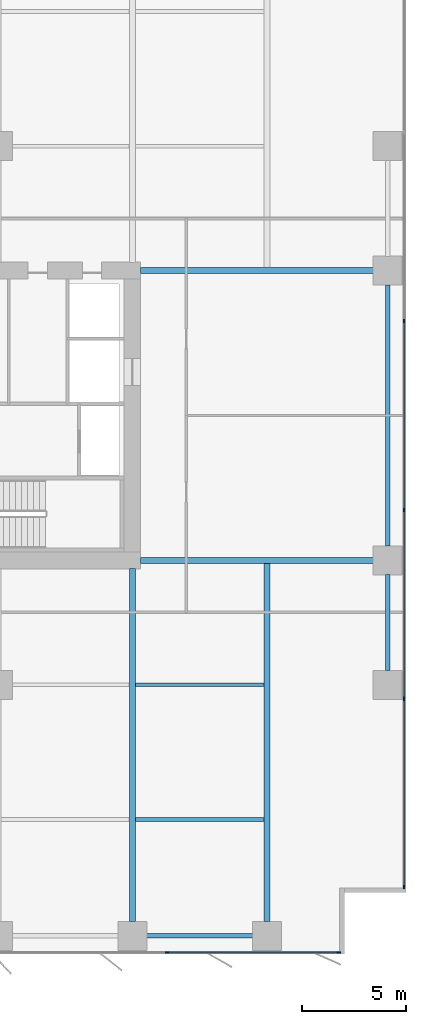
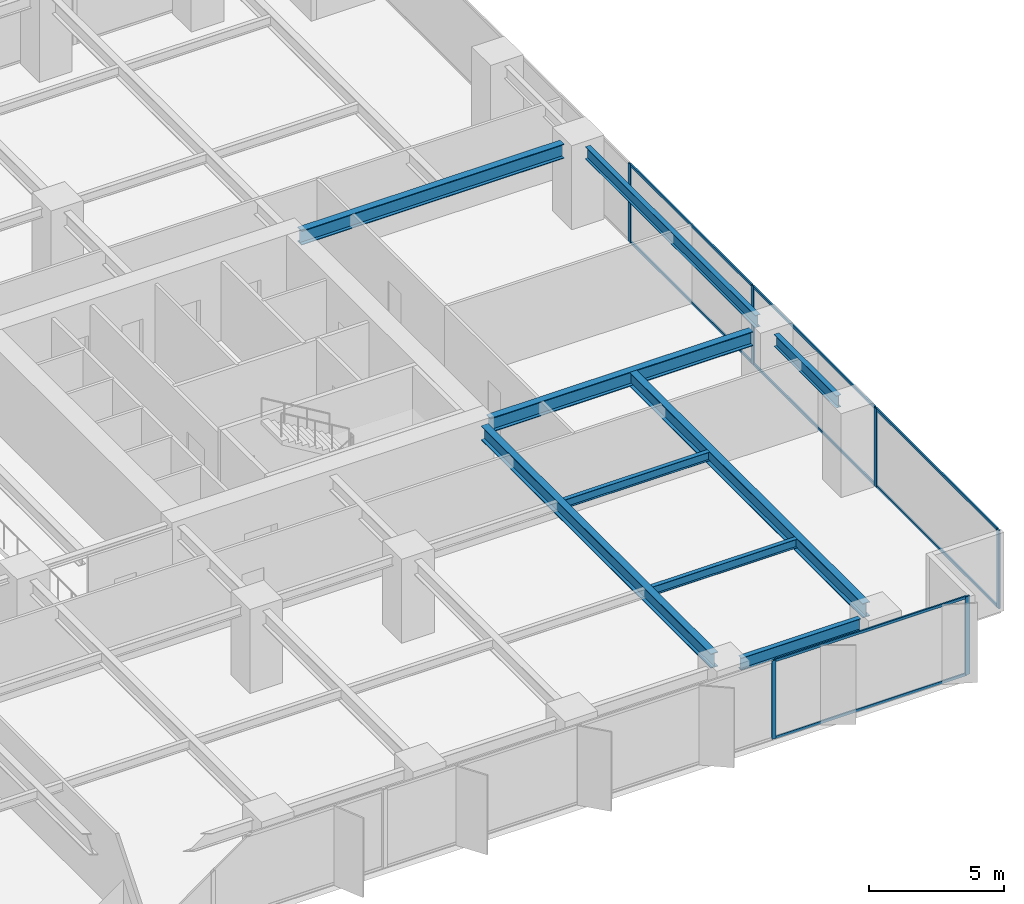
# One storey, part 10 of 20: 14 members, 9 beams, 2 elements without a shape of their own.
"""IFC4 building model written with IfcOpenShell, lengths in metres."""

import ifcopenshell
import ifcopenshell.guid

model = None  # the IFC model being written
_history = None  # IfcOwnerHistory: only IFC2X3 demands one
_inside = {}  # id of a spatial element -> (the spatial element, [elements in it])
_under = {}  # id of a project, library or spatial element -> (it, [spatial elements below it])
_declared = {}  # id of a project -> (the project, [libraries it declares])
_typed = {}  # id of a type object -> (the type object, [elements of that type])
_made_of = {}  # id of a material, layer set ... -> (it, [elements and type objects made of it])


def new_model(schema):
    """Start an empty IFC model of exactly this schema.

    Asked for "IFC4X3", IfcOpenShell would pick the latest addendum, in which some entities
    have other attributes; the version numbers below select the first issue.
    IFC2X3 requires an IfcOwnerHistory on every rooted entity: one is made here for all.
    """
    global model, _history
    if schema == "IFC4X3":
        model = ifcopenshell.file(schema_version=(4, 3, 0, 0))
    else:
        model = ifcopenshell.file(schema=schema)
    _inside.clear()
    _under.clear()
    _declared.clear()
    _typed.clear()
    _made_of.clear()
    _history = None
    if model.schema == "IFC2X3":
        org = make("IfcOrganization", Name="unknown")
        user = make(
            "IfcPersonAndOrganization",
            ThePerson=make("IfcPerson", FamilyName="unknown"),
            TheOrganization=org,
        )
        app = make(
            "IfcApplication",
            ApplicationDeveloper=org,
            Version="unknown",
            ApplicationFullName="unknown",
            ApplicationIdentifier="unknown",
        )
        _history = make(
            "IfcOwnerHistory",
            OwningUser=user,
            OwningApplication=app,
            ChangeAction="ADDED",
            CreationDate=0,
        )
    return model


def make(cls, **values):
    """One entity of the class cls with the attributes given. An attribute that is None is left unset."""
    return model.create_entity(
        cls, **{name: value for name, value in values.items() if value is not None}
    )


def rooted(cls, **values):
    """An entity with a GlobalId (a new one), such as an element, a storey or a relation."""
    return make(cls, GlobalId=ifcopenshell.guid.new(), OwnerHistory=_history, **values)


def si_unit(unit_type, name, prefix=None):
    """IfcSIUnit, for example si_unit("LENGTHUNIT", "METRE", prefix="MILLI")."""
    return make("IfcSIUnit", UnitType=unit_type, Prefix=prefix, Name=name)


def assignment(units):
    """IfcUnitAssignment: the units of a project."""
    return None if units is None else make("IfcUnitAssignment", Units=units)


def point(xyz):
    """IfcCartesianPoint."""
    return None if xyz is None else make("IfcCartesianPoint", Coordinates=xyz)


def direction(xyz):
    """IfcDirection."""
    return None if xyz is None else make("IfcDirection", DirectionRatios=xyz)


def frame(location, z_axis=None, x_axis=None):
    """IfcAxis2Placement3D, a coordinate frame: its origin and axes. An axis left out is left unset."""
    return make(
        "IfcAxis2Placement3D",
        Location=point(location),
        Axis=direction(z_axis),
        RefDirection=direction(x_axis),
    )


def frame_2d(location, x_axis=None):
    """IfcAxis2Placement2D, a coordinate frame in the plane: its origin and x axis."""
    return make(
        "IfcAxis2Placement2D", Location=point(location), RefDirection=direction(x_axis)
    )


def origin():
    """The frame at (0, 0, 0) with its axes left unset."""
    return frame((0.0, 0.0, 0.0))


def origin_2d():
    """The frame at (0, 0) in the plane with its x axis left unset."""
    return frame_2d((0.0, 0.0))


def place(relative_to, where):
    """IfcLocalPlacement: puts the frame where relative to a parent placement (None: the world)."""
    return make(
        "IfcLocalPlacement", PlacementRelTo=relative_to, RelativePlacement=where
    )


def context(
    kind, dimensions, precision=None, world=None, true_north=None, identifier=None
):
    """IfcGeometricRepresentationContext, for example the 3D "Model" context."""
    return make(
        "IfcGeometricRepresentationContext",
        ContextIdentifier=identifier,
        ContextType=kind,
        CoordinateSpaceDimension=dimensions,
        Precision=precision,
        WorldCoordinateSystem=world,
        TrueNorth=true_north,
    )


def subcontext(parent, identifier, kind, view, scale=None):
    """IfcGeometricRepresentationSubContext, for example "Body" below "Model"."""
    return make(
        "IfcGeometricRepresentationSubContext",
        ContextIdentifier=identifier,
        ContextType=kind,
        ParentContext=parent,
        TargetScale=scale,
        TargetView=view,
    )


def project(units=None, contexts=None):
    """IfcProject with its units and contexts."""
    return rooted(
        "IfcProject",
        Name="project",
        RepresentationContexts=contexts,
        UnitsInContext=assignment(units),
    )


def spatial(cls, under=None, at=None, **own):
    """A site, building, storey or space (cls), placed at a placement, below another one or the project."""
    s = rooted(cls, ObjectPlacement=at, **own)
    if under is not None:
        _under.setdefault(under.id(), (under, []))[1].append(s)
    return s


def profile(cls, at=None, kind="AREA", **sizes):
    """A parametric profile (cls). Its sizes go by their IFC names, for example OverallWidth=200.0."""
    return make(cls, ProfileType=kind, Position=at, **sizes)


def rectangle(**sizes):
    """IfcRectangleProfileDef."""
    return profile("IfcRectangleProfileDef", **sizes)


def i_section(**sizes):
    """IfcIShapeProfileDef."""
    return profile("IfcIShapeProfileDef", **sizes)


def extrude(swept, where, along, depth):
    """IfcExtrudedAreaSolid: the profile swept, set in the frame where, extruded along a direction by depth."""
    return make(
        "IfcExtrudedAreaSolid",
        SweptArea=swept,
        Position=where,
        ExtrudedDirection=direction(along),
        Depth=depth,
    )


def shape(context_of_items, identifier, shape_type, items):
    """IfcShapeRepresentation: the items that make up one representation, for example the "Body"."""
    return make(
        "IfcShapeRepresentation",
        ContextOfItems=context_of_items,
        RepresentationIdentifier=identifier,
        RepresentationType=shape_type,
        Items=items,
    )


def material(Name=None, Category=None):
    """IfcMaterial."""
    return make("IfcMaterial", Name=Name, Category=Category)


def layer(
    of_material, thickness, ventilated=None, Name=None, Category=None, Priority=None
):
    """IfcMaterialLayer: one layer of a wall or slab, of a material (None: an air gap)."""
    return make(
        "IfcMaterialLayer",
        Material=of_material,
        LayerThickness=thickness,
        IsVentilated=ventilated,
        Name=Name,
        Category=Category,
        Priority=Priority,
    )


def layer_set(layers, Name=None):
    """IfcMaterialLayerSet."""
    return make("IfcMaterialLayerSet", MaterialLayers=layers, LayerSetName=Name)


def material_profile(
    of_material, cross_section, Name=None, Category=None, Priority=None
):
    """IfcMaterialProfile: a cross section and its material."""
    return make(
        "IfcMaterialProfile",
        Name=Name,
        Material=of_material,
        Profile=cross_section,
        Priority=Priority,
        Category=Category,
    )


def profile_set(profiles, Name=None, composite=None):
    """IfcMaterialProfileSet."""
    return make(
        "IfcMaterialProfileSet",
        Name=Name,
        MaterialProfiles=profiles,
        CompositeProfile=composite,
    )


def made_of(thing, what):
    """Note that an element or type object is made of a material, layer set ...; save() writes the relation."""
    if what is not None:
        _made_of.setdefault(what.id(), (what, []))[1].append(thing)
    return thing


def type_object(cls, material=None, **own):
    """A type object (cls), such as IfcWallType, which elements share."""
    return made_of(rooted(cls, **own), material)


def element(
    cls,
    number,
    at=None,
    inside=None,
    cuts=None,
    type_object=None,
    material=None,
    context=None,
    identifier="Body",
    shape_type=None,
    held_by="IfcProductDefinitionShape",
    body=None,
    shapes=None,
    **own,
):
    """One element of the class cls, such as IfcWall. Its Tag is "e" and its number.

    at: its placement. inside: the storey or other place that contains it. cuts: it is an
    opening in that element (IfcRelVoidsElement). A single representation is given by context,
    identifier, shape_type and body (its items); several are given by shapes. held_by: the class
    of the entity that holds the representations. save() writes the other relations.
    """
    e = rooted(cls, Tag="e%d" % number, ObjectPlacement=at, **own)
    if body is not None:
        shapes = [shape(context, identifier, shape_type, body)]
    if shapes is not None:
        e.Representation = make(held_by, Representations=shapes)
    if inside is not None:
        _inside.setdefault(inside.id(), (inside, []))[1].append(e)
    if cuts is not None:
        rooted(
            "IfcRelVoidsElement", RelatingBuildingElement=cuts, RelatedOpeningElement=e
        )
    if type_object is not None:
        _typed.setdefault(type_object.id(), (type_object, []))[1].append(e)
    return made_of(e, material)


def aggregate(whole, parts):
    """IfcRelAggregates: a whole, such as a stair, and the parts it consists of."""
    return rooted("IfcRelAggregates", RelatingObject=whole, RelatedObjects=parts)


def save(model, path):
    """Write the relations noted so far, then the file.

    IfcRelAggregates (storeys below a building ...), IfcRelContainedInSpatialStructure (elements
    in a storey), IfcRelDefinesByType, IfcRelAssociatesMaterial and IfcRelDeclares: one each for
    every whole, place, type object, material and project.
    """
    for whole, parts in _under.values():
        aggregate(whole, parts)
    for where, things in _inside.values():
        rooted(
            "IfcRelContainedInSpatialStructure",
            RelatedElements=things,
            RelatingStructure=where,
        )
    for kind, things in _typed.values():
        rooted("IfcRelDefinesByType", RelatedObjects=things, RelatingType=kind)
    for what, things in _made_of.values():
        rooted("IfcRelAssociatesMaterial", RelatedObjects=things, RelatingMaterial=what)
    for by, libraries in _declared.values():
        rooted("IfcRelDeclares", RelatingContext=by, RelatedDefinitions=libraries)
    model.write(path)


model = new_model("IFC4")

# Units and contexts
model_context = context("Model", 3, precision=1e-05, world=origin(), true_north=direction((0.0, 1.0)))
body_context = subcontext(model_context, "Body", "Model", "MODEL_VIEW")
ifc_project = project(units=[si_unit("LENGTHUNIT", "METRE"), si_unit("AREAUNIT", "SQUARE_METRE"), si_unit("VOLUMEUNIT", "CUBIC_METRE"), si_unit("PLANEANGLEUNIT", "RADIAN"), si_unit("MASSUNIT", "GRAM", prefix="KILO")], contexts=[model_context])

# Site, building, storey
site_placement = place(None, origin())
site = spatial("IfcSite", under=ifc_project, at=site_placement, CompositionType="ELEMENT")
building_placement = place(site_placement, origin())
building = spatial("IfcBuilding", under=site, at=building_placement, Name="Putna Gate Headquarters", CompositionType="ELEMENT")
storey_placement = place(building_placement, frame((0.0, 0.0, 35.39990234375)))
storey = spatial("IfcBuildingStorey", under=building, at=storey_placement, Name="L07", CompositionType="ELEMENT", Elevation=35.39990234375)

# Beams
ifc_material_1 = material(Name="Steel S355J2", Category="steel")
ifc_material_profile_1 = material_profile(ifc_material_1, i_section(OverallWidth=0.300048828125, OverallDepth=0.64990234375, WebThickness=0.01611328125, FlangeThickness=0.031005859375, at=origin_2d()), Name="Steel S355J2")
ifc_profile_set_1 = profile_set([ifc_material_profile_1], Name="Steel S355J2")
beam_type_1 = type_object("IfcBeamType", Name="BM-GIRD-Z1-HEB650", PredefinedType="USERDEFINED", material=ifc_profile_set_1)
for number, where, z_axis, x_axis, name in (
    (1, (65.385009765625, 19.0, 3.22509765625), (1.0, 0.0, 0.0), (0.0, 1.0, 0.0), "L07 East Wing Girder Y19"),
    (2, (65.385009765625, 33.0, 3.22509765625), (1.0, 0.0, 0.0), (0.0, 1.0, 0.0), "L07 East Wing Girder Y33"),
):
    element("IfcBeam", number, at=place(storey_placement, frame(where, z_axis=z_axis, x_axis=x_axis)), inside=storey, type_object=beam_type_1, Name=name, ObjectType="GIRDER", PredefinedType="USERDEFINED", context=body_context, shape_type="SweptSolid", body=[
        extrude(i_section(OverallWidth=0.300048828125, OverallDepth=0.64990234375, WebThickness=0.01611328125, FlangeThickness=0.031005859375, at=origin_2d()), origin(), (0.0, 0.0, 1.0), 11.2470703125),
    ])
beam_1_placement = place(storey_placement, frame((65.0, 1.568115234375, 3.22509765625), z_axis=(0.0, 1.0, 0.0), x_axis=(-1.0, 0.0, 0.0)))
element("IfcBeam", 3, at=beam_1_placement, inside=storey, type_object=beam_type_1, Name="L07 South Primary Girder X65", ObjectType="GIRDER", PredefinedType="USERDEFINED", context=body_context, shape_type="SweptSolid", body=[
    extrude(i_section(OverallWidth=0.300048828125, OverallDepth=0.64990234375, WebThickness=0.01611328125, FlangeThickness=0.031005859375, at=origin_2d()), origin(), (0.0, 0.0, 1.0), 17.046875),
])
beam_2_placement = place(storey_placement, frame((71.5, 1.568115234375, 3.22509765625), z_axis=(0.0, 1.0, 0.0), x_axis=(-1.0, 0.0, 0.0)))
element("IfcBeam", 4, at=beam_2_placement, inside=storey, type_object=beam_type_1, Name="L07 South Primary Girder X71", ObjectType="GIRDER", PredefinedType="USERDEFINED", context=body_context, shape_type="SweptSolid", body=[
    extrude(i_section(OverallWidth=0.300048828125, OverallDepth=0.64990234375, WebThickness=0.01611328125, FlangeThickness=0.031005859375, at=origin_2d()), origin(), (0.0, 0.0, 1.0), 17.419921875),
])
ifc_material_profile_2 = material_profile(ifc_material_1, i_section(OverallWidth=0.179931640625, OverallDepth=0.39990234375, WebThickness=0.008544921875, FlangeThickness=0.013427734375, at=origin_2d()), Name="Steel S355J2")
ifc_profile_set_2 = profile_set([ifc_material_profile_2], Name="Steel S355J2")
beam_type_2 = type_object("IfcBeamType", Name="BM-SEC-Z1-IPE400", PredefinedType="BEAM", material=ifc_profile_set_2)
for number, where, z_axis, x_axis, name in (
    (5, (65.154052734375, 6.5, 3.35009765625), (1.0, 0.0, 0.0), (0.0, 1.0, 0.0), "L07 South Secondary Beam 10"),
    (6, (65.154052734375, 13.0, 3.35009765625), (1.0, 0.0, 0.0), (0.0, 1.0, 0.0), "L07 South Secondary Beam 10"),
):
    element("IfcBeam", number, at=place(storey_placement, frame(where, z_axis=z_axis, x_axis=x_axis)), inside=storey, type_object=beam_type_2, Name=name, PredefinedType="BEAM", context=body_context, shape_type="SweptSolid", body=[
        extrude(i_section(OverallWidth=0.179931640625, OverallDepth=0.39990234375, WebThickness=0.008544921875, FlangeThickness=0.013427734375, at=origin_2d()), origin(), (0.0, 0.0, 1.0), 6.19189453125),
    ])
ifc_material_profile_3 = material_profile(ifc_material_1, i_section(OverallWidth=0.2099609375, OverallDepth=0.550048828125, WebThickness=0.010986328125, FlangeThickness=0.01708984375, at=origin_2d()), Name="Steel S355J2")
ifc_profile_set_3 = profile_set([ifc_material_profile_3], Name="Steel S355J2")
beam_type_3 = type_object("IfcBeamType", Name="BM-SPAN-Z1-IPE550", PredefinedType="SPANDREL", material=ifc_profile_set_3)
beam_3_placement = place(storey_placement, frame((65.68798828125, 0.8798828125, 3.275146484375), z_axis=(1.0, 0.0, 0.0), x_axis=(0.0, 1.0, 0.0)))
element("IfcBeam", 7, at=beam_3_placement, inside=storey, type_object=beam_type_3, Name="L07 S Perimeter Spandrel 10", PredefinedType="SPANDREL", context=body_context, shape_type="SweptSolid", body=[
    extrude(i_section(OverallWidth=0.2099609375, OverallDepth=0.550048828125, WebThickness=0.010986328125, FlangeThickness=0.01708984375, at=origin_2d()), origin(), (0.0, 0.0, 1.0), 5.1240234375),
])
beam_4_placement = place(storey_placement, frame((77.320068359375, 13.68798828125, 3.275146484375), z_axis=(0.0, 1.0, 0.0), x_axis=(-1.0, 0.0, 0.0)))
element("IfcBeam", 8, at=beam_4_placement, inside=storey, type_object=beam_type_3, Name="L07 E End Spandrel 1", PredefinedType="SPANDREL", context=body_context, shape_type="SweptSolid", body=[
    extrude(i_section(OverallWidth=0.2099609375, OverallDepth=0.550048828125, WebThickness=0.010986328125, FlangeThickness=0.01708984375, at=origin_2d()), origin(), (0.0, 0.0, 1.0), 4.6240234375),
])
beam_5_placement = place(storey_placement, frame((77.320068359375, 19.68798828125, 3.275146484375), z_axis=(0.0, 1.0, 0.0), x_axis=(-1.0, 0.0, 0.0)))
element("IfcBeam", 9, at=beam_5_placement, inside=storey, type_object=beam_type_3, Name="L07 E End Spandrel 2", PredefinedType="SPANDREL", context=body_context, shape_type="SweptSolid", body=[
    extrude(i_section(OverallWidth=0.2099609375, OverallDepth=0.550048828125, WebThickness=0.010986328125, FlangeThickness=0.01708984375, at=origin_2d()), origin(), (0.0, 0.0, 1.0), 12.6240234375),
])

# Curtain wall, members
ifc_material_2 = material(Name="Anodised bronze aluminium curtain wall", Category="aluminium")
ifc_layer = layer(ifc_material_2, 0.179931640625)
ifc_layer_set = layer_set([ifc_layer], Name="Anodised bronze aluminium curtain wall")
curtain_wall_type = type_object("IfcCurtainWallType", Name="CW-SYS-Z1", PredefinedType="USERDEFINED", material=ifc_layer_set)
curtain_wall_1_placement = place(storey_placement, origin())
curtain_wall_1 = element("IfcCurtainWall", 10, at=curtain_wall_1_placement, inside=storey, type_object=curtain_wall_type, Name="L07 South East Curtain Wall", ObjectType="STICK CURTAIN WALL", PredefinedType="USERDEFINED")
ifc_material_3 = material(Name="Anodised bronze aluminium EN AW-6060", Category="aluminium")
ifc_material_profile_4 = material_profile(ifc_material_3, rectangle(XDim=0.070068359375, YDim=0.179931640625, at=origin_2d()), Name="Anodised bronze aluminium EN AW-6060")
ifc_profile_set_4 = profile_set([ifc_material_profile_4], Name="Anodised bronze aluminium EN AW-6060")
member_type_1 = type_object("IfcMemberType", Name="MULL-CWM-1", PredefinedType="MULLION", material=ifc_profile_set_4)
member_1_placement = place(storey_placement, frame((66.666748046875, 0.080078125, 0.0), z_axis=(0.0, 0.0, 1.0), x_axis=(0.0, 1.0, 0.0)))
member_1 = element("IfcMember", 11, at=member_1_placement, type_object=member_type_1, Name="CWS-1 mullion 3", PredefinedType="MULLION", context=body_context, shape_type="SweptSolid", body=[
    extrude(rectangle(XDim=0.070068359375, YDim=0.179931640625, at=origin_2d()), origin(), (0.0, 0.0, 1.0), 3.550048828125),
])
member_2_placement = place(storey_placement, frame((74.965087890625, 0.080078125, 0.0), z_axis=(0.0, 0.0, 1.0), x_axis=(0.0, 1.0, 0.0)))
member_2 = element("IfcMember", 12, at=member_2_placement, type_object=member_type_1, Name="CWS-1 mullion 4", PredefinedType="MULLION", context=body_context, shape_type="SweptSolid", body=[
    extrude(rectangle(XDim=0.070068359375, YDim=0.179931640625, at=origin_2d()), origin(), (0.0, 0.0, 1.0), 3.550048828125),
])

curtain_wall_2_placement = place(storey_placement, origin())
curtain_wall_2 = element("IfcCurtainWall", 13, at=curtain_wall_2_placement, inside=storey, type_object=curtain_wall_type, Name="L07 East Curtain Wall", ObjectType="STICK CURTAIN WALL", PredefinedType="USERDEFINED")
member_3_placement = place(storey_placement, frame((78.1201171875, 3.235107421875, 0.0), z_axis=(0.0, 0.0, 1.0), x_axis=(-1.0, 0.0, 0.0)))
member_3 = element("IfcMember", 14, at=member_3_placement, type_object=member_type_1, Name="CWS-1 mullion 1", PredefinedType="MULLION", context=body_context, shape_type="SweptSolid", body=[
    extrude(rectangle(XDim=0.070068359375, YDim=0.179931640625, at=origin_2d()), origin(), (0.0, 0.0, 1.0), 3.550048828125),
])
member_4_placement = place(storey_placement, frame((78.1201171875, 12.320068359375, 0.0), z_axis=(0.0, 0.0, 1.0), x_axis=(-1.0, 0.0, 0.0)))
member_4 = element("IfcMember", 15, at=member_4_placement, type_object=member_type_1, Name="CWS-1 mullion 2", PredefinedType="MULLION", context=body_context, shape_type="SweptSolid", body=[
    extrude(rectangle(XDim=0.070068359375, YDim=0.179931640625, at=origin_2d()), origin(), (0.0, 0.0, 1.0), 3.550048828125),
])
member_5_placement = place(storey_placement, frame((78.1201171875, 21.43994140625, 0.0), z_axis=(0.0, 0.0, 1.0), x_axis=(-1.0, 0.0, 0.0)))
member_5 = element("IfcMember", 16, at=member_5_placement, type_object=member_type_1, Name="CWS-1 mullion 3", PredefinedType="MULLION", context=body_context, shape_type="SweptSolid", body=[
    extrude(rectangle(XDim=0.070068359375, YDim=0.179931640625, at=origin_2d()), origin(), (0.0, 0.0, 1.0), 3.550048828125),
])
member_6_placement = place(storey_placement, frame((78.1201171875, 30.56005859375, 0.0), z_axis=(0.0, 0.0, 1.0), x_axis=(-1.0, 0.0, 0.0)))
member_6 = element("IfcMember", 17, at=member_6_placement, type_object=member_type_1, Name="CWS-1 mullion 4", PredefinedType="MULLION", context=body_context, shape_type="SweptSolid", body=[
    extrude(rectangle(XDim=0.070068359375, YDim=0.179931640625, at=origin_2d()), origin(), (0.0, 0.0, 1.0), 3.550048828125),
])

# Member
ifc_material_profile_5 = material_profile(ifc_material_3, rectangle(XDim=0.06494140625, YDim=0.1201171875, at=origin_2d()), Name="Anodised bronze aluminium EN AW-6060")
ifc_profile_set_5 = profile_set([ifc_material_profile_5], Name="Anodised bronze aluminium EN AW-6060")
member_type_2 = type_object("IfcMemberType", Name="TRAN-CWT-1", PredefinedType="USERDEFINED", material=ifc_profile_set_5)
member_7_placement = place(storey_placement, frame((66.70166015625, 0.080078125, 0.03271484375), z_axis=(1.0, 0.0, 0.0), x_axis=(0.0, 1.0, 0.0)))
member_7 = element("IfcMember", 18, at=member_7_placement, type_object=member_type_2, Name="CWS-1 transom 3.1", ObjectType="TRANSOM", PredefinedType="USERDEFINED", context=body_context, shape_type="SweptSolid", body=[
    extrude(rectangle(XDim=0.06494140625, YDim=0.1201171875, at=origin_2d()), origin(), (0.0, 0.0, 1.0), 8.228271484375),
])

member_8_placement = place(storey_placement, frame((66.70166015625, 0.080078125, 3.517578125), z_axis=(1.0, 0.0, 0.0), x_axis=(0.0, 1.0, 0.0)))
member_8 = element("IfcMember", 19, at=member_8_placement, type_object=member_type_2, Name="CWS-1 transom 3.2", ObjectType="TRANSOM", PredefinedType="USERDEFINED", context=body_context, shape_type="SweptSolid", body=[
    extrude(rectangle(XDim=0.06494140625, YDim=0.1201171875, at=origin_2d()), origin(), (0.0, 0.0, 1.0), 8.228271484375),
])

aggregate(curtain_wall_1, [member_1, member_2, member_7, member_8])

member_9_placement = place(storey_placement, frame((78.1201171875, 3.27001953125, 0.03271484375), z_axis=(0.0, 1.0, 0.0), x_axis=(-1.0, 0.0, 0.0)))
member_9 = element("IfcMember", 20, at=member_9_placement, type_object=member_type_2, Name="CWS-1 transom 1.1", ObjectType="TRANSOM", PredefinedType="USERDEFINED", context=body_context, shape_type="SweptSolid", body=[
    extrude(rectangle(XDim=0.06494140625, YDim=0.1201171875, at=origin_2d()), origin(), (0.0, 0.0, 1.0), 9.014892578125),
])

member_10_placement = place(storey_placement, frame((78.1201171875, 3.27001953125, 3.517578125), z_axis=(0.0, 1.0, 0.0), x_axis=(-1.0, 0.0, 0.0)))
member_10 = element("IfcMember", 21, at=member_10_placement, type_object=member_type_2, Name="CWS-1 transom 1.2", ObjectType="TRANSOM", PredefinedType="USERDEFINED", context=body_context, shape_type="SweptSolid", body=[
    extrude(rectangle(XDim=0.06494140625, YDim=0.1201171875, at=origin_2d()), origin(), (0.0, 0.0, 1.0), 9.014892578125),
])

member_11_placement = place(storey_placement, frame((78.1201171875, 12.35498046875, 0.03271484375), z_axis=(0.0, 1.0, 0.0), x_axis=(-1.0, 0.0, 0.0)))
member_11 = element("IfcMember", 22, at=member_11_placement, type_object=member_type_2, Name="CWS-1 transom 2.1", ObjectType="TRANSOM", PredefinedType="USERDEFINED", context=body_context, shape_type="SweptSolid", body=[
    extrude(rectangle(XDim=0.06494140625, YDim=0.1201171875, at=origin_2d()), origin(), (0.0, 0.0, 1.0), 9.050048828125),
])

member_12_placement = place(storey_placement, frame((78.1201171875, 12.35498046875, 3.517578125), z_axis=(0.0, 1.0, 0.0), x_axis=(-1.0, 0.0, 0.0)))
member_12 = element("IfcMember", 23, at=member_12_placement, type_object=member_type_2, Name="CWS-1 transom 2.2", ObjectType="TRANSOM", PredefinedType="USERDEFINED", context=body_context, shape_type="SweptSolid", body=[
    extrude(rectangle(XDim=0.06494140625, YDim=0.1201171875, at=origin_2d()), origin(), (0.0, 0.0, 1.0), 9.050048828125),
])

member_13_placement = place(storey_placement, frame((78.1201171875, 21.47509765625, 0.03271484375), z_axis=(0.0, 1.0, 0.0), x_axis=(-1.0, 0.0, 0.0)))
member_13 = element("IfcMember", 24, at=member_13_placement, type_object=member_type_2, Name="CWS-1 transom 3.1", ObjectType="TRANSOM", PredefinedType="USERDEFINED", context=body_context, shape_type="SweptSolid", body=[
    extrude(rectangle(XDim=0.06494140625, YDim=0.1201171875, at=origin_2d()), origin(), (0.0, 0.0, 1.0), 9.0498046875),
])

member_14_placement = place(storey_placement, frame((78.1201171875, 21.47509765625, 3.517578125), z_axis=(0.0, 1.0, 0.0), x_axis=(-1.0, 0.0, 0.0)))
member_14 = element("IfcMember", 25, at=member_14_placement, type_object=member_type_2, Name="CWS-1 transom 3.2", ObjectType="TRANSOM", PredefinedType="USERDEFINED", context=body_context, shape_type="SweptSolid", body=[
    extrude(rectangle(XDim=0.06494140625, YDim=0.1201171875, at=origin_2d()), origin(), (0.0, 0.0, 1.0), 9.0498046875),
])

aggregate(curtain_wall_2, [member_3, member_4, member_5, member_6, member_9, member_10, member_11, member_12, member_13, member_14])

save(model, "model.ifc")
